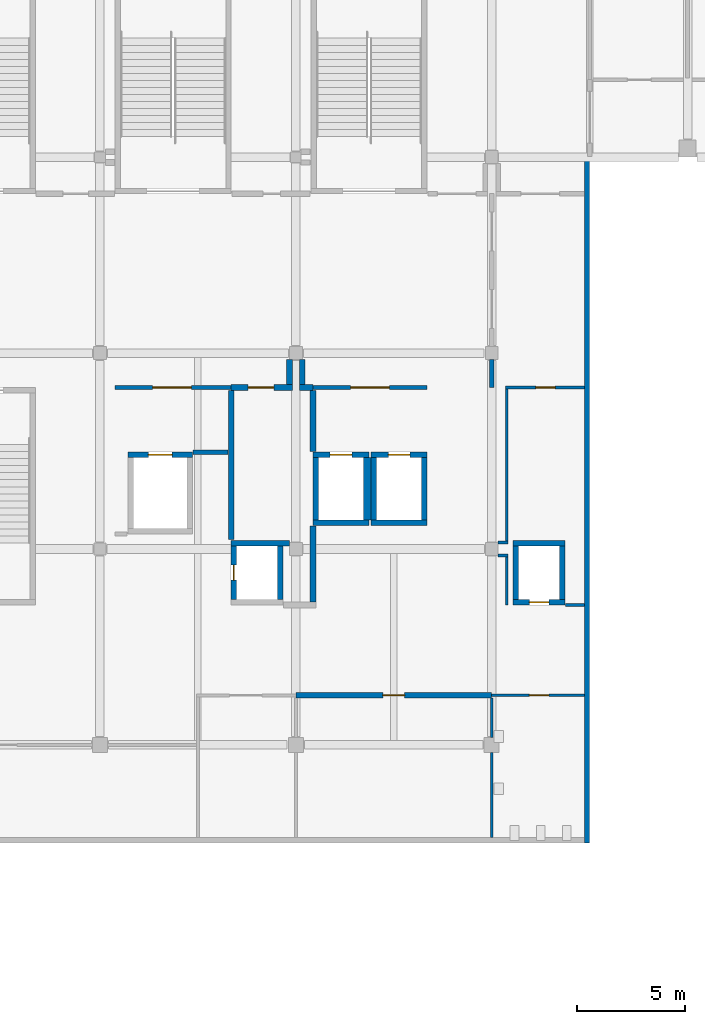
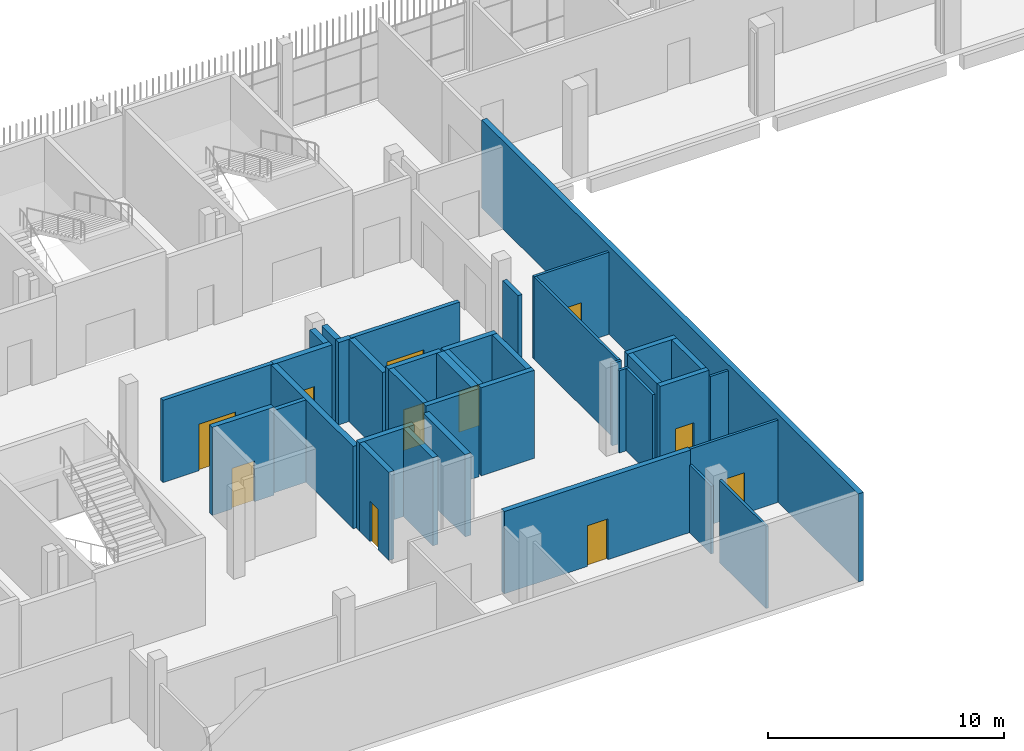
# One storey, part 74 of 124: 38 walls, 11 doors, 11 openings.
"""IFC4 building model written with IfcOpenShell, lengths in metres."""

from ifc_helpers import new_model, si_unit, direction, frame, frame_2d, origin, place, context, subcontext, project, spatial, rectangle, extrude, material, layer, layer_set, type_object, element, fill, save


model = new_model("IFC4")

# Units and contexts
model_context = context("Model", 3, precision=1e-05, world=origin(), true_north=direction((0.0, 1.0)))
body_context = subcontext(model_context, "Body", "Model", "MODEL_VIEW")
ifc_project = project(units=[si_unit("LENGTHUNIT", "METRE"), si_unit("AREAUNIT", "SQUARE_METRE"), si_unit("VOLUMEUNIT", "CUBIC_METRE"), si_unit("PLANEANGLEUNIT", "RADIAN"), si_unit("MASSUNIT", "GRAM", prefix="KILO")], contexts=[model_context])

# Site, building, storey
site_placement = place(None, origin())
site = spatial("IfcSite", under=ifc_project, at=site_placement, CompositionType="ELEMENT")
building_placement = place(site_placement, origin())
building = spatial("IfcBuilding", under=site, at=building_placement, Name="Shirokan Park Arena", CompositionType="ELEMENT")
storey_placement = place(building_placement, frame((0.0, 0.0, 20.02001953125)))
storey = spatial("IfcBuildingStorey", under=building, at=storey_placement, Name="L04", CompositionType="ELEMENT", Elevation=20.02001953125)

# Wall, opening, door
ifc_material_1 = material(Name="Plaster")
ifc_layer_1 = layer(ifc_material_1, 0.014892578125, Name="Plaster")
ifc_material_2 = material(Name="Concrete blockwork", Category="masonry")
ifc_layer_2 = layer(ifc_material_2, 0.219970703125, Name="Concrete blockwork 220")
ifc_layer_3 = layer(ifc_material_1, 0.014892578125, Name="Plaster")
ifc_layer_set_1 = layer_set([ifc_layer_1, ifc_layer_2, ifc_layer_3], Name="Plaster + Concrete blockwork 220")
wall_type_1 = type_object("IfcWallType", Name="Compartment wall 250", PredefinedType="SOLIDWALL", material=ifc_layer_set_1)
wall_1_placement = place(storey_placement, frame((27.300048828125, 75.10009765625, 0.0), z_axis=(0.0, 0.0, 1.0), x_axis=(1.0, 0.0, 0.0)))
wall_1 = element("IfcWall", 1, at=wall_1_placement, inside=storey, type_object=wall_type_1, Name="Compartment wall 250 L04", PredefinedType="SOLIDWALL", context=body_context, shape_type="SweptSolid", body=[
    extrude(rectangle(XDim=9.099853515625, YDim=0.25, at=frame_2d((4.5498046875, 0.0))), origin(), (0.0, 0.0, 1.0), 4.25),
])
opening_1_placement = place(wall_1_placement, frame((4.050048828125, 0.0, 0.0)))
opening_1 = element("IfcOpeningElement", 2, at=opening_1_placement, cuts=wall_1, Name="Opening D-4041", PredefinedType="OPENING", context=body_context, shape_type="SweptSolid", body=[
    extrude(rectangle(XDim=1.0, YDim=2.10009765625, at=frame_2d((0.5, 1.050048828125))), frame((0.0, 0.135009765625, 0.0), z_axis=(0.0, -1.0, 0.0), x_axis=(1.0, 0.0, 0.0)), (0.0, 0.0, 1.0), 0.27001953125),
])
ifc_material_3 = material(Name="Timber door set, fire resisting", Category="wood")
door_type_1 = type_object("IfcDoorType", Name="Door 1000 x 2100", OperationType="SINGLE_SWING_LEFT", PredefinedType="DOOR", material=ifc_material_3)
door_1_placement = place(opening_1_placement, origin())
door_1 = element("IfcDoor", 3, at=door_1_placement, inside=storey, type_object=door_type_1, Name="Door to Staff Locker Room 4.43 D-4041", OperationType="SINGLE_SWING_RIGHT", OverallHeight=2.10009765625, OverallWidth=1.0, PredefinedType="DOOR", context=body_context, shape_type="SweptSolid", body=[
    extrude(rectangle(XDim=1.0, YDim=2.10009765625, at=frame_2d((0.5, 1.050048828125))), frame((0.0, 0.02490234375, 0.0), z_axis=(0.0, -1.0, 0.0), x_axis=(1.0, 0.0, 0.0)), (0.0, 0.0, 1.0), 0.050048828125),
])
fill(opening_1, door_1)

# Wall
ifc_material_4 = material(Name="Gypsum board")
ifc_layer_4 = layer(ifc_material_4, 0.02490234375, Name="Gypsum board, two layers")
ifc_material_5 = material(Name="Mineral wool insulation")
ifc_layer_5 = layer(ifc_material_5, 0.14990234375, Name="Mineral wool insulation")
ifc_layer_6 = layer(ifc_material_4, 0.02490234375, Name="Gypsum board, two layers")
ifc_layer_set_2 = layer_set([ifc_layer_4, ifc_layer_5, ifc_layer_6], Name="Gypsum board, two layers + Mineral wool insulation")
wall_type_2 = type_object("IfcWallType", Name="Corridor wall 200", PredefinedType="PARTITIONING", material=ifc_layer_set_2)
wall_2_placement = place(storey_placement, frame((24.16259765625, 86.39990234375, 0.0), z_axis=(0.0, 0.0, 1.0), x_axis=(-1.0, 0.0, 0.0)))
element("IfcWall", 4, at=wall_2_placement, inside=storey, type_object=wall_type_2, Name="Corridor wall 200 L04", PredefinedType="PARTITIONING", context=body_context, shape_type="SweptSolid", body=[
    extrude(rectangle(XDim=1.632568359375, YDim=0.199951171875, at=frame_2d((0.81640625, 0.0))), origin(), (0.0, 0.0, 1.0), 4.25),
])

# Wall, opening, door
wall_3_placement = place(storey_placement, frame((24.300048828125, 89.39990234375, 0.0), z_axis=(0.0, 0.0, 1.0), x_axis=(-1.0, 0.0, 0.0)))
wall_3 = element("IfcWall", 5, at=wall_3_placement, inside=storey, type_object=wall_type_2, Name="Corridor wall 200 L04", PredefinedType="PARTITIONING", context=body_context, shape_type="SweptSolid", body=[
    extrude(rectangle(XDim=5.400146484375, YDim=0.199951171875, at=frame_2d((2.7001953125, 0.0))), origin(), (0.0, 0.0, 1.0), 4.25),
])
opening_2_placement = place(wall_3_placement, frame((1.85009765625, 0.0, 0.0)))
opening_2 = element("IfcOpeningElement", 6, at=opening_2_placement, cuts=wall_3, Name="Opening D-4114", PredefinedType="OPENING", context=body_context, shape_type="SweptSolid", body=[
    extrude(rectangle(XDim=1.800048828125, YDim=2.39990234375, at=frame_2d((0.89990234375, 1.199951171875))), frame((0.0, 0.10986328125, 0.0), z_axis=(0.0, -1.0, 0.0), x_axis=(1.0, 0.0, 0.0)), (0.0, 0.0, 1.0), 0.219970703125),
])
ifc_material_6 = material(Name="Glazed steel door set, fire resisting", Category="steel")
door_type_2 = type_object("IfcDoorType", Name="Lift lobby door 1800 x 2400", OperationType="DOUBLE_DOOR_SINGLE_SWING", PredefinedType="DOOR", material=ifc_material_6)
door_2_placement = place(opening_2_placement, origin())
door_2 = element("IfcDoor", 7, at=door_2_placement, inside=storey, type_object=door_type_2, Name="Door between Broadcast Gallery 4.4.2 and Service Lift Lobby 4.4 D-4114", OperationType="DOUBLE_DOOR_SINGLE_SWING", OverallHeight=2.39990234375, OverallWidth=1.800048828125, PredefinedType="DOOR", context=body_context, shape_type="SweptSolid", body=[
    extrude(rectangle(XDim=1.800048828125, YDim=2.39990234375, at=frame_2d((0.89990234375, 1.199951171875))), frame((0.0, 0.02490234375, 0.0), z_axis=(0.0, -1.0, 0.0), x_axis=(1.0, 0.0, 0.0)), (0.0, 0.0, 1.0), 0.050048828125),
])
fill(opening_2, door_2)

wall_4_placement = place(storey_placement, frame((33.39990234375, 89.39990234375, 0.0), z_axis=(0.0, 0.0, 1.0), x_axis=(-1.0, 0.0, 0.0)))
wall_4 = element("IfcWall", 8, at=wall_4_placement, inside=storey, type_object=wall_type_2, Name="Corridor wall 200 L04", PredefinedType="PARTITIONING", context=body_context, shape_type="SweptSolid", body=[
    extrude(rectangle(XDim=5.2998046875, YDim=0.199951171875, at=frame_2d((2.64990234375, 0.0))), origin(), (0.0, 0.0, 1.0), 4.25),
])
opening_3_placement = place(wall_4_placement, frame((1.75, 0.0, 0.0)))
opening_3 = element("IfcOpeningElement", 9, at=opening_3_placement, cuts=wall_4, Name="Opening D-4113", PredefinedType="OPENING", context=body_context, shape_type="SweptSolid", body=[
    extrude(rectangle(XDim=1.800048828125, YDim=2.39990234375, at=frame_2d((0.89990234375, 1.199951171875))), frame((0.0, 0.10986328125, 0.0), z_axis=(0.0, -1.0, 0.0), x_axis=(1.0, 0.0, 0.0)), (0.0, 0.0, 1.0), 0.219970703125),
])
door_3_placement = place(opening_3_placement, origin())
door_3 = element("IfcDoor", 10, at=door_3_placement, inside=storey, type_object=door_type_2, Name="Door between Broadcast Gallery 4.4.2 and Lift Lobby 4.4 D-4113", OperationType="DOUBLE_DOOR_SINGLE_SWING", OverallHeight=2.39990234375, OverallWidth=1.800048828125, PredefinedType="DOOR", context=body_context, shape_type="SweptSolid", body=[
    extrude(rectangle(XDim=1.800048828125, YDim=2.39990234375, at=frame_2d((0.89990234375, 1.199951171875))), frame((0.0, 0.02490234375, 0.0), z_axis=(0.0, -1.0, 0.0), x_axis=(1.0, 0.0, 0.0)), (0.0, 0.0, 1.0), 0.050048828125),
])
fill(opening_3, door_3)

# Walls
wall_5_placement = place(storey_placement, frame((36.39990234375, 90.699951171875, 0.0), z_axis=(0.0, 0.0, 1.0), x_axis=(0.0, -1.0, 0.0)))
element("IfcWall", 11, at=wall_5_placement, inside=storey, type_object=wall_type_2, Name="Corridor wall 200 L04", PredefinedType="PARTITIONING", context=body_context, shape_type="SweptSolid", body=[
    extrude(rectangle(XDim=1.300048828125, YDim=0.199951171875, at=frame_2d((0.64990234375, 0.0))), origin(), (0.0, 0.0, 1.0), 3.5),
])
ifc_layer_7 = layer(ifc_material_1, 0.012451171875, Name="Plaster")
ifc_layer_8 = layer(ifc_material_2, 0.25, Name="Concrete blockwork 250")
ifc_layer_9 = layer(ifc_material_1, 0.012451171875, Name="Plaster")
ifc_layer_set_3 = layer_set([ifc_layer_7, ifc_layer_8, ifc_layer_9], Name="Plaster + Concrete blockwork 250")
wall_type_3 = type_object("IfcWallType", Name="Plant room wall 275", PredefinedType="SOLIDWALL", material=ifc_layer_set_3)
wall_6_placement = place(storey_placement, frame((24.300048828125, 82.330078125, 0.0), z_axis=(0.0, 0.0, 1.0), x_axis=(0.0, 1.0, 0.0)))
element("IfcWall", 12, at=wall_6_placement, inside=storey, type_object=wall_type_3, Name="Plant room wall 275 L04", PredefinedType="SOLIDWALL", context=body_context, shape_type="SweptSolid", body=[
    extrude(rectangle(XDim=6.932373046875, YDim=0.27490234375, at=frame_2d((3.46630859375, 0.0))), origin(), (0.0, 0.0, 1.0), 4.25),
])
wall_7_placement = place(storey_placement, frame((27.0, 90.699951171875, 0.0), z_axis=(0.0, 0.0, 1.0), x_axis=(0.0, -1.0, 0.0)))
element("IfcWall", 13, at=wall_7_placement, inside=storey, type_object=wall_type_3, Name="Plant room wall 275 L04", PredefinedType="SOLIDWALL", context=body_context, shape_type="SweptSolid", body=[
    extrude(rectangle(XDim=1.162353515625, YDim=0.27490234375, at=frame_2d((0.5810546875, 0.0))), origin(), (0.0, 0.0, 1.0), 4.25),
])

# Wall, opening, door
wall_8_placement = place(storey_placement, frame((27.137451171875, 89.39990234375, 0.0), z_axis=(0.0, 0.0, 1.0), x_axis=(-1.0, 0.0, 0.0)))
wall_8 = element("IfcWall", 14, at=wall_8_placement, inside=storey, type_object=wall_type_3, Name="Plant room wall 275 L04", PredefinedType="SOLIDWALL", context=body_context, shape_type="SweptSolid", body=[
    extrude(rectangle(XDim=2.83740234375, YDim=0.27490234375, at=frame_2d((1.418701171875, 0.0))), origin(), (0.0, 0.0, 1.0), 4.25),
])
opening_4_placement = place(wall_8_placement, frame((0.85009765625, 0.0, 0.0)))
opening_4 = element("IfcOpeningElement", 15, at=opening_4_placement, cuts=wall_8, Name="Opening D-4034", PredefinedType="OPENING", context=body_context, shape_type="SweptSolid", body=[
    extrude(rectangle(XDim=1.199951171875, YDim=2.39990234375, at=frame_2d((0.60009765625, 1.199951171875))), frame((0.0, 0.1474609375, 0.0), z_axis=(0.0, -1.0, 0.0), x_axis=(1.0, 0.0, 0.0)), (0.0, 0.0, 1.0), 0.294921875),
])
ifc_material_7 = material(Name="Louvred steel door set, fire resisting", Category="steel")
door_type_3 = type_object("IfcDoorType", Name="Plant room door 1200 x 2400", OperationType="SINGLE_SWING_LEFT", PredefinedType="DOOR", material=ifc_material_7)
door_4_placement = place(opening_4_placement, origin())
door_4 = element("IfcDoor", 16, at=door_4_placement, inside=storey, type_object=door_type_3, Name="Door to Equipment Room 4.48 D-4034", OperationType="SINGLE_SWING_LEFT", OverallHeight=2.39990234375, OverallWidth=1.199951171875, PredefinedType="DOOR", context=body_context, shape_type="SweptSolid", body=[
    extrude(rectangle(XDim=1.199951171875, YDim=2.39990234375, at=frame_2d((0.60009765625, 1.199951171875))), frame((0.0, 0.02490234375, 0.0), z_axis=(0.0, -1.0, 0.0), x_axis=(1.0, 0.0, 0.0)), (0.0, 0.0, 1.0), 0.050048828125),
])
fill(opening_4, door_4)

# Walls
wall_9_placement = place(storey_placement, frame((27.60009765625, 89.53759765625, 0.0), z_axis=(0.0, 0.0, 1.0), x_axis=(0.0, 1.0, 0.0)))
element("IfcWall", 17, at=wall_9_placement, inside=storey, type_object=wall_type_3, Name="Plant room wall 275 L04", PredefinedType="SOLIDWALL", context=body_context, shape_type="SweptSolid", body=[
    extrude(rectangle(XDim=1.162353515625, YDim=0.27490234375, at=frame_2d((0.5810546875, 0.0))), origin(), (0.0, 0.0, 1.0), 4.25),
])
wall_10_placement = place(storey_placement, frame((28.10009765625, 82.969970703125, 0.0), z_axis=(0.0, 0.0, 1.0), x_axis=(0.0, -1.0, 0.0)))
element("IfcWall", 18, at=wall_10_placement, inside=storey, type_object=wall_type_3, Name="Plant room wall 275 L04", PredefinedType="SOLIDWALL", context=body_context, shape_type="SweptSolid", body=[
    extrude(rectangle(XDim=3.532470703125, YDim=0.27490234375, at=frame_2d((1.76611328125, 0.0))), origin(), (0.0, 0.0, 1.0), 4.25),
])
wall_11_placement = place(storey_placement, frame((28.10009765625, 89.262451171875, 0.0), z_axis=(0.0, 0.0, 1.0), x_axis=(0.0, -1.0, 0.0)))
element("IfcWall", 19, at=wall_11_placement, inside=storey, type_object=wall_type_3, Name="Plant room wall 275 L04", PredefinedType="SOLIDWALL", context=body_context, shape_type="SweptSolid", body=[
    extrude(rectangle(XDim=2.83251953125, YDim=0.27490234375, at=frame_2d((1.416259765625, 0.0))), origin(), (0.0, 0.0, 1.0), 4.25),
])
wall_12_placement = place(storey_placement, frame((28.10009765625, 89.39990234375, 0.0), z_axis=(0.0, 0.0, 1.0), x_axis=(-1.0, 0.0, 0.0)))
element("IfcWall", 20, at=wall_12_placement, inside=storey, type_object=wall_type_3, Name="Plant room wall 275 L04", PredefinedType="SOLIDWALL", context=body_context, shape_type="SweptSolid", body=[
    extrude(rectangle(XDim=0.6376953125, YDim=0.27490234375, at=frame_2d((0.31884765625, 0.0))), origin(), (0.0, 0.0, 1.0), 4.25),
])
ifc_material_8 = material(Name="Concrete C35", Category="concrete")
ifc_layer_10 = layer(ifc_material_8, 0.25)
ifc_layer_set_4 = layer_set([ifc_layer_10], Name="Concrete C35 250 mm")
wall_type_4 = type_object("IfcWallType", Name="RC flank wall 250", PredefinedType="SHEAR", material=ifc_layer_set_4)
wall_13_placement = place(storey_placement, frame((40.824951171875, 68.25, 0.0), z_axis=(0.0, 0.0, 1.0), x_axis=(0.0, 1.0, 0.0)))
element("IfcWall", 21, at=wall_13_placement, inside=storey, type_object=wall_type_4, Name="Flank wall N1 L04", PredefinedType="SHEAR", context=body_context, shape_type="SweptSolid", body=[
    extrude(rectangle(XDim=31.85009765625, YDim=0.25, at=frame_2d((15.925048828125, 0.0))), origin(), (0.0, 0.0, 1.0), 4.550048828125),
])
ifc_material_9 = material(Name="Concrete C40/50", Category="concrete")
ifc_layer_11 = layer(ifc_material_9, 0.25)
ifc_layer_set_5 = layer_set([ifc_layer_11], Name="Concrete C40/50 250 mm")
wall_type_5 = type_object("IfcWallType", Name="RC shear wall 250", PredefinedType="SHEAR", material=ifc_layer_set_5)
wall_14_placement = place(storey_placement, frame((30.699951171875, 83.125, 0.0), z_axis=(0.0, 0.0, 1.0), x_axis=(-1.0, 0.0, 0.0)))
element("IfcWall", 22, at=wall_14_placement, inside=storey, type_object=wall_type_5, Name="Shaft wall Passenger Lift 4.1 S L04", PredefinedType="SHEAR", context=body_context, shape_type="SweptSolid", body=[
    extrude(rectangle(XDim=2.599853515625, YDim=0.25, at=frame_2d((1.2998046875, 0.0))), origin(), (0.0, 0.0, 1.0), 4.550048828125),
])

# Wall, opening, door
wall_15_placement = place(storey_placement, frame((30.699951171875, 86.27490234375, 0.0), z_axis=(0.0, 0.0, 1.0), x_axis=(-1.0, 0.0, 0.0)))
wall_15 = element("IfcWall", 23, at=wall_15_placement, inside=storey, type_object=wall_type_5, Name="Shaft wall Passenger Lift 4.1 N L04", PredefinedType="SHEAR", context=body_context, shape_type="SweptSolid", body=[
    extrude(rectangle(XDim=2.599853515625, YDim=0.25, at=frame_2d((1.2998046875, 0.0))), origin(), (0.0, 0.0, 1.0), 4.550048828125),
])
opening_5_placement = place(wall_15_placement, frame((0.800048828125, 0.0, 0.0)))
opening_5 = element("IfcOpeningElement", 24, at=opening_5_placement, cuts=wall_15, Name="Opening LD41", PredefinedType="OPENING", context=body_context, shape_type="SweptSolid", body=[
    extrude(rectangle(XDim=1.0, YDim=2.10009765625, at=frame_2d((0.5, 1.050048828125))), frame((0.0, 0.135009765625, 0.0), z_axis=(0.0, -1.0, 0.0), x_axis=(1.0, 0.0, 0.0)), (0.0, 0.0, 1.0), 0.27001953125),
])
ifc_material_10 = material(Name="Stainless steel", Category="steel")
door_type_4 = type_object("IfcDoorType", Name="Lift landing door 1000x2100", OperationType="DOUBLE_DOOR_SLIDING", PredefinedType="DOOR", material=ifc_material_10)
door_5_placement = place(opening_5_placement, origin())
door_5 = element("IfcDoor", 25, at=door_5_placement, inside=storey, type_object=door_type_4, Name="Lift landing door Passenger Lift 4.1 L04", OperationType="DOUBLE_DOOR_SLIDING", OverallHeight=2.10009765625, OverallWidth=1.0, PredefinedType="DOOR", context=body_context, shape_type="SweptSolid", body=[
    extrude(rectangle(XDim=1.0, YDim=2.10009765625, at=frame_2d((0.5, 1.050048828125))), frame((0.0, 0.02490234375, 0.0), z_axis=(0.0, -1.0, 0.0), x_axis=(1.0, 0.0, 0.0)), (0.0, 0.0, 1.0), 0.050048828125),
])
fill(opening_5, door_5)

# Walls
wall_16_placement = place(storey_placement, frame((28.22509765625, 86.14990234375, 0.0), z_axis=(0.0, 0.0, 1.0), x_axis=(0.0, -1.0, 0.0)))
element("IfcWall", 26, at=wall_16_placement, inside=storey, type_object=wall_type_5, Name="Shaft wall Passenger Lift 4.1 W L04", PredefinedType="SHEAR", context=body_context, shape_type="SweptSolid", body=[
    extrude(rectangle(XDim=2.89990234375, YDim=0.25, at=frame_2d((1.449951171875, 0.0))), origin(), (0.0, 0.0, 1.0), 4.550048828125),
])
wall_17_placement = place(storey_placement, frame((33.39990234375, 83.125, 0.0), z_axis=(0.0, 0.0, 1.0), x_axis=(-1.0, 0.0, 0.0)))
element("IfcWall", 27, at=wall_17_placement, inside=storey, type_object=wall_type_5, Name="Shaft wall Passenger Lift 4.2 S L04", PredefinedType="SHEAR", context=body_context, shape_type="SweptSolid", body=[
    extrude(rectangle(XDim=2.599853515625, YDim=0.25, at=frame_2d((1.2998046875, 0.0))), origin(), (0.0, 0.0, 1.0), 4.550048828125),
])

# Wall, opening, door
wall_18_placement = place(storey_placement, frame((33.39990234375, 86.27490234375, 0.0), z_axis=(0.0, 0.0, 1.0), x_axis=(-1.0, 0.0, 0.0)))
wall_18 = element("IfcWall", 28, at=wall_18_placement, inside=storey, type_object=wall_type_5, Name="Shaft wall Passenger Lift 4.2 N L04", PredefinedType="SHEAR", context=body_context, shape_type="SweptSolid", body=[
    extrude(rectangle(XDim=2.599853515625, YDim=0.25, at=frame_2d((1.2998046875, 0.0))), origin(), (0.0, 0.0, 1.0), 4.550048828125),
])
opening_6_placement = place(wall_18_placement, frame((0.800048828125, 0.0, 0.0)))
opening_6 = element("IfcOpeningElement", 29, at=opening_6_placement, cuts=wall_18, Name="Opening LD47", PredefinedType="OPENING", context=body_context, shape_type="SweptSolid", body=[
    extrude(rectangle(XDim=1.0, YDim=2.10009765625, at=frame_2d((0.5, 1.050048828125))), frame((0.0, 0.135009765625, 0.0), z_axis=(0.0, -1.0, 0.0), x_axis=(1.0, 0.0, 0.0)), (0.0, 0.0, 1.0), 0.27001953125),
])
door_6_placement = place(opening_6_placement, origin())
door_6 = element("IfcDoor", 30, at=door_6_placement, inside=storey, type_object=door_type_4, Name="Lift landing door Passenger Lift 4.2 L04", OperationType="DOUBLE_DOOR_SLIDING", OverallHeight=2.10009765625, OverallWidth=1.0, PredefinedType="DOOR", context=body_context, shape_type="SweptSolid", body=[
    extrude(rectangle(XDim=1.0, YDim=2.10009765625, at=frame_2d((0.5, 1.050048828125))), frame((0.0, 0.02490234375, 0.0), z_axis=(0.0, -1.0, 0.0), x_axis=(1.0, 0.0, 0.0)), (0.0, 0.0, 1.0), 0.050048828125),
])
fill(opening_6, door_6)

# Walls
for number, where, z_axis, x_axis, name in (
    (31, (30.925048828125, 86.14990234375, 0.0), (0.0, 0.0, 1.0), (0.0, -1.0, 0.0), "Shaft wall Passenger Lift 4.2 W L04"),
    (32, (33.27490234375, 86.14990234375, 0.0), (0.0, 0.0, 1.0), (0.0, -1.0, 0.0), "Shaft wall Passenger Lift 4.2 E L04"),
):
    element("IfcWall", number, at=place(storey_placement, frame(where, z_axis=z_axis, x_axis=x_axis)), inside=storey, type_object=wall_type_5, Name=name, PredefinedType="SHEAR", context=body_context, shape_type="SweptSolid", body=[
        extrude(rectangle(XDim=2.89990234375, YDim=0.25, at=frame_2d((1.449951171875, 0.0))), origin(), (0.0, 0.0, 1.0), 4.550048828125),
    ])

# Wall, opening, door
wall_19_placement = place(storey_placement, frame((39.800048828125, 79.425048828125, 0.0), z_axis=(0.0, 0.0, 1.0), x_axis=(-1.0, 0.0, 0.0)))
wall_19 = element("IfcWall", 33, at=wall_19_placement, inside=storey, type_object=wall_type_5, Name="Shaft wall Services Riser 4.1 S L04", PredefinedType="SHEAR", context=body_context, shape_type="SweptSolid", body=[
    extrude(rectangle(XDim=2.400146484375, YDim=0.25, at=frame_2d((1.2001953125, 0.0))), origin(), (0.0, 0.0, 1.0), 4.550048828125),
])
opening_7_placement = place(wall_19_placement, frame((0.75, 0.0, 0.0)))
opening_7 = element("IfcOpeningElement", 34, at=opening_7_placement, cuts=wall_19, Name="Opening D-4125", PredefinedType="OPENING", context=body_context, shape_type="SweptSolid", body=[
    extrude(rectangle(XDim=0.89990234375, YDim=2.10009765625, at=frame_2d((0.449951171875, 1.050048828125))), frame((0.0, 0.135009765625, 0.0), z_axis=(0.0, -1.0, 0.0), x_axis=(1.0, 0.0, 0.0)), (0.0, 0.0, 1.0), 0.27001953125),
])
ifc_material_11 = material(Name="Steel door set, fire resisting", Category="steel")
door_type_5 = type_object("IfcDoorType", Name="Electrical riser door 900 x 2100", OperationType="SINGLE_SWING_LEFT", PredefinedType="DOOR", material=ifc_material_11)
door_7_placement = place(opening_7_placement, origin())
door_7 = element("IfcDoor", 35, at=door_7_placement, inside=storey, type_object=door_type_5, Name="Riser access door Services Riser 4.1 D-4125", OperationType="SINGLE_SWING_RIGHT", OverallHeight=2.10009765625, OverallWidth=0.89990234375, PredefinedType="DOOR", context=body_context, shape_type="SweptSolid", body=[
    extrude(rectangle(XDim=0.89990234375, YDim=2.10009765625, at=frame_2d((0.449951171875, 1.050048828125))), frame((0.0, 0.02490234375, 0.0), z_axis=(0.0, -1.0, 0.0), x_axis=(1.0, 0.0, 0.0)), (0.0, 0.0, 1.0), 0.050048828125),
])
fill(opening_7, door_7)

# Walls
wall_20_placement = place(storey_placement, frame((39.800048828125, 82.175048828125, 0.0), z_axis=(0.0, 0.0, 1.0), x_axis=(-1.0, 0.0, 0.0)))
element("IfcWall", 36, at=wall_20_placement, inside=storey, type_object=wall_type_5, Name="Shaft wall Services Riser 4.1 N L04", PredefinedType="SHEAR", context=body_context, shape_type="SweptSolid", body=[
    extrude(rectangle(XDim=2.400146484375, YDim=0.25, at=frame_2d((1.2001953125, 0.0))), origin(), (0.0, 0.0, 1.0), 4.550048828125),
])
for number, where, z_axis, x_axis, name in (
    (37, (37.52490234375, 82.050048828125, 0.0), (0.0, 0.0, 1.0), (0.0, -1.0, 0.0), "Shaft wall Services Riser 4.1 W L04"),
    (38, (39.675048828125, 82.050048828125, 0.0), (0.0, 0.0, 1.0), (0.0, -1.0, 0.0), "Shaft wall Services Riser 4.1 E L04"),
):
    element("IfcWall", number, at=place(storey_placement, frame(where, z_axis=z_axis, x_axis=x_axis)), inside=storey, type_object=wall_type_5, Name=name, PredefinedType="SHEAR", context=body_context, shape_type="SweptSolid", body=[
        extrude(rectangle(XDim=2.5, YDim=0.25, at=frame_2d((1.25, 0.0))), origin(), (0.0, 0.0, 1.0), 4.550048828125),
    ])
wall_21_placement = place(storey_placement, frame((27.0, 82.175048828125, 0.0), z_axis=(0.0, 0.0, 1.0), x_axis=(-1.0, 0.0, 0.0)))
element("IfcWall", 39, at=wall_21_placement, inside=storey, type_object=wall_type_5, Name="Shaft wall Services Riser 4.2 N L04", PredefinedType="SHEAR", context=body_context, shape_type="SweptSolid", body=[
    extrude(rectangle(XDim=2.699951171875, YDim=0.25, at=frame_2d((1.35009765625, 0.0))), origin(), (0.0, 0.0, 1.0), 4.550048828125),
])

# Wall, opening, door
wall_22_placement = place(storey_placement, frame((24.425048828125, 82.050048828125, 0.0), z_axis=(0.0, 0.0, 1.0), x_axis=(0.0, -1.0, 0.0)))
wall_22 = element("IfcWall", 40, at=wall_22_placement, inside=storey, type_object=wall_type_5, Name="Shaft wall Services Riser 4.2 W L04", PredefinedType="SHEAR", context=body_context, shape_type="SweptSolid", body=[
    extrude(rectangle(XDim=2.5, YDim=0.25, at=frame_2d((1.25, 0.0))), origin(), (0.0, 0.0, 1.0), 4.550048828125),
])
opening_8_placement = place(wall_22_placement, frame((0.89990234375, 0.0, 0.0)))
opening_8 = element("IfcOpeningElement", 41, at=opening_8_placement, cuts=wall_22, Name="Opening D-4126", PredefinedType="OPENING", context=body_context, shape_type="SweptSolid", body=[
    extrude(rectangle(XDim=0.699951171875, YDim=2.10009765625, at=frame_2d((0.35009765625, 1.050048828125))), frame((0.0, 0.135009765625, 0.0), z_axis=(0.0, -1.0, 0.0), x_axis=(1.0, 0.0, 0.0)), (0.0, 0.0, 1.0), 0.27001953125),
])
door_type_6 = type_object("IfcDoorType", Name="Mechanical riser door 700 x 2100", OperationType="SINGLE_SWING_LEFT", PredefinedType="DOOR", material=ifc_material_11)
door_8_placement = place(opening_8_placement, origin())
door_8 = element("IfcDoor", 42, at=door_8_placement, inside=storey, type_object=door_type_6, Name="Riser access door Services Riser 4.2 D-4126", OperationType="SINGLE_SWING_LEFT", OverallHeight=2.10009765625, OverallWidth=0.699951171875, PredefinedType="DOOR", context=body_context, shape_type="SweptSolid", body=[
    extrude(rectangle(XDim=0.699951171875, YDim=2.10009765625, at=frame_2d((0.35009765625, 1.050048828125))), frame((0.0, 0.02490234375, 0.0), z_axis=(0.0, -1.0, 0.0), x_axis=(1.0, 0.0, 0.0)), (0.0, 0.0, 1.0), 0.050048828125),
])
fill(opening_8, door_8)

# Wall
wall_23_placement = place(storey_placement, frame((26.574951171875, 82.050048828125, 0.0), z_axis=(0.0, 0.0, 1.0), x_axis=(0.0, -1.0, 0.0)))
element("IfcWall", 43, at=wall_23_placement, inside=storey, type_object=wall_type_5, Name="Shaft wall Services Riser 4.2 E L04", PredefinedType="SHEAR", context=body_context, shape_type="SweptSolid", body=[
    extrude(rectangle(XDim=2.5, YDim=0.25, at=frame_2d((1.25, 0.0))), origin(), (0.0, 0.0, 1.0), 4.550048828125),
])

# Wall, opening, door
wall_24_placement = place(storey_placement, frame((22.5, 86.27490234375, 0.0), z_axis=(0.0, 0.0, 1.0), x_axis=(-1.0, 0.0, 0.0)))
wall_24 = element("IfcWall", 44, at=wall_24_placement, inside=storey, type_object=wall_type_5, Name="Shaft wall Service Lift 4 N L04", PredefinedType="SHEAR", context=body_context, shape_type="SweptSolid", body=[
    extrude(rectangle(XDim=3.0, YDim=0.25, at=frame_2d((1.5, 0.0))), origin(), (0.0, 0.0, 1.0), 4.550048828125),
])
opening_9_placement = place(wall_24_placement, frame((0.949951171875, 0.0, 0.0)))
opening_9 = element("IfcOpeningElement", 45, at=opening_9_placement, cuts=wall_24, Name="Opening LD74", PredefinedType="OPENING", context=body_context, shape_type="SweptSolid", body=[
    extrude(rectangle(XDim=1.10009765625, YDim=2.10009765625, at=frame_2d((0.550048828125, 1.050048828125))), frame((0.0, 0.135009765625, 0.0), z_axis=(0.0, -1.0, 0.0), x_axis=(1.0, 0.0, 0.0)), (0.0, 0.0, 1.0), 0.27001953125),
])
door_type_7 = type_object("IfcDoorType", Name="Lift landing door 1100x2100", OperationType="DOUBLE_DOOR_SLIDING", PredefinedType="DOOR", material=ifc_material_10)
door_9_placement = place(opening_9_placement, origin())
door_9 = element("IfcDoor", 46, at=door_9_placement, inside=storey, type_object=door_type_7, Name="Lift landing door Service Lift 4 L04", OperationType="DOUBLE_DOOR_SLIDING", OverallHeight=2.10009765625, OverallWidth=1.10009765625, PredefinedType="DOOR", context=body_context, shape_type="SweptSolid", body=[
    extrude(rectangle(XDim=1.10009765625, YDim=2.10009765625, at=frame_2d((0.550048828125, 1.050048828125))), frame((0.0, 0.02490234375, 0.0), z_axis=(0.0, -1.0, 0.0), x_axis=(1.0, 0.0, 0.0)), (0.0, 0.0, 1.0), 0.050048828125),
])
fill(opening_9, door_9)

# Walls
ifc_layer_12 = layer(ifc_material_9, 0.35009765625)
ifc_layer_set_6 = layer_set([ifc_layer_12], Name="Concrete C40/50 350 mm")
wall_type_6 = type_object("IfcWallType", Name="RC shear wall 350", PredefinedType="SHEAR", material=ifc_layer_set_6)
wall_25_placement = place(storey_placement, frame((30.625, 86.14990234375, 0.0), z_axis=(0.0, 0.0, 1.0), x_axis=(0.0, -1.0, 0.0)))
element("IfcWall", 47, at=wall_25_placement, inside=storey, type_object=wall_type_6, Name="Shaft wall Passenger Lift 4.1 E L04", PredefinedType="SHEAR", context=body_context, shape_type="SweptSolid", body=[
    extrude(rectangle(XDim=2.89990234375, YDim=0.35009765625, at=frame_2d((1.449951171875, 0.0))), origin(), (0.0, 0.0, 1.0), 4.550048828125),
])
ifc_material_12 = material(Name="Ceramic tile")
ifc_layer_13 = layer(ifc_material_12, 0.010009765625, Name="Ceramic tile")
ifc_material_13 = material(Name="Cement board")
ifc_layer_14 = layer(ifc_material_13, 0.012451171875, Name="Cement board")
ifc_layer_15 = layer(ifc_material_5, 0.080078125, Name="Mineral wool insulation")
ifc_layer_16 = layer(ifc_material_13, 0.012451171875, Name="Cement board")
ifc_layer_17 = layer(ifc_material_12, 0.010009765625, Name="Ceramic tile")
ifc_layer_set_7 = layer_set([ifc_layer_13, ifc_layer_14, ifc_layer_15, ifc_layer_16, ifc_layer_17], Name="Ceramic tile + Cement board + Mineral wool insulation")
wall_type_7 = type_object("IfcWallType", Name="Wet-area wall 125", PredefinedType="PARTITIONING", material=ifc_layer_set_7)
wall_26_placement = place(storey_placement, frame((36.39990234375, 72.449951171875, 0.0), z_axis=(0.0, 0.0, 1.0), x_axis=(0.0, -1.0, 0.0)))
element("IfcWall", 48, at=wall_26_placement, inside=storey, type_object=wall_type_7, Name="Wet-area wall 125 L04", PredefinedType="PARTITIONING", context=body_context, shape_type="SweptSolid", body=[
    extrude(rectangle(XDim=3.949951171875, YDim=0.125, at=frame_2d((1.97509765625, 0.0))), origin(), (0.0, 0.0, 1.0), 4.25),
])
wall_27_placement = place(storey_placement, frame((36.39990234375, 74.97509765625, 0.0), z_axis=(0.0, 0.0, 1.0), x_axis=(0.0, -1.0, 0.0)))
element("IfcWall", 49, at=wall_27_placement, inside=storey, type_object=wall_type_7, Name="Wet-area wall 125 L04", PredefinedType="PARTITIONING", context=body_context, shape_type="SweptSolid", body=[
    extrude(rectangle(XDim=1.8251953125, YDim=0.125, at=frame_2d((0.91259765625, 0.0))), origin(), (0.0, 0.0, 1.0), 3.5),
])

# Wall, opening, door
wall_28_placement = place(storey_placement, frame((36.39990234375, 75.10009765625, 0.0), z_axis=(0.0, 0.0, 1.0), x_axis=(1.0, 0.0, 0.0)))
wall_28 = element("IfcWall", 50, at=wall_28_placement, inside=storey, type_object=wall_type_7, Name="Wet-area wall 125 L04", PredefinedType="PARTITIONING", context=body_context, shape_type="SweptSolid", body=[
    extrude(rectangle(XDim=4.300048828125, YDim=0.125, at=frame_2d((2.14990234375, 0.0))), origin(), (0.0, 0.0, 1.0), 4.25),
])
opening_10_placement = place(wall_28_placement, frame((1.75, 0.0, 0.0)))
opening_10 = element("IfcOpeningElement", 51, at=opening_10_placement, cuts=wall_28, Name="Opening D-4042", PredefinedType="OPENING", context=body_context, shape_type="SweptSolid", body=[
    extrude(rectangle(XDim=0.89990234375, YDim=2.10009765625, at=frame_2d((0.449951171875, 1.050048828125))), frame((0.0, 0.072509765625, 0.0), z_axis=(0.0, -1.0, 0.0), x_axis=(1.0, 0.0, 0.0)), (0.0, 0.0, 1.0), 0.14501953125),
])
door_type_8 = type_object("IfcDoorType", Name="Door 900 x 2100", OperationType="SINGLE_SWING_LEFT", PredefinedType="DOOR", material=ifc_material_3)
door_10_placement = place(opening_10_placement, origin())
door_10 = element("IfcDoor", 52, at=door_10_placement, inside=storey, type_object=door_type_8, Name="Door to Women's WC 4.44 D-4042", OperationType="SINGLE_SWING_RIGHT", OverallHeight=2.10009765625, OverallWidth=0.89990234375, PredefinedType="DOOR", context=body_context, shape_type="SweptSolid", body=[
    extrude(rectangle(XDim=0.89990234375, YDim=2.10009765625, at=frame_2d((0.449951171875, 1.050048828125))), frame((0.0, 0.02490234375, 0.0), z_axis=(0.0, -1.0, 0.0), x_axis=(1.0, 0.0, 0.0)), (0.0, 0.0, 1.0), 0.050048828125),
])
fill(opening_10, door_10)

# Walls
wall_29_placement = place(storey_placement, frame((36.699951171875, 81.60009765625, 0.0), z_axis=(0.0, 0.0, 1.0), x_axis=(1.0, 0.0, 0.0)))
element("IfcWall", 53, at=wall_29_placement, inside=storey, type_object=wall_type_7, Name="Wet-area wall 125 L04", PredefinedType="PARTITIONING", context=body_context, shape_type="SweptSolid", body=[
    extrude(rectangle(XDim=0.462646484375, YDim=0.125, at=frame_2d((0.2314453125, 0.0))), origin(), (0.0, 0.0, 1.0), 4.25),
])
wall_30_placement = place(storey_placement, frame((37.10009765625, 81.53759765625, 0.0), z_axis=(0.0, 0.0, 1.0), x_axis=(0.0, -1.0, 0.0)))
element("IfcWall", 54, at=wall_30_placement, inside=storey, type_object=wall_type_7, Name="Wet-area wall 125 L04", PredefinedType="PARTITIONING", context=body_context, shape_type="SweptSolid", body=[
    extrude(rectangle(XDim=2.237548828125, YDim=0.125, at=frame_2d((1.11865234375, 0.0))), origin(), (0.0, 0.0, 1.0), 4.25),
])
wall_31_placement = place(storey_placement, frame((37.10009765625, 89.33740234375, 0.0), z_axis=(0.0, 0.0, 1.0), x_axis=(0.0, -1.0, 0.0)))
element("IfcWall", 55, at=wall_31_placement, inside=storey, type_object=wall_type_7, Name="Wet-area wall 125 L04", PredefinedType="PARTITIONING", context=body_context, shape_type="SweptSolid", body=[
    extrude(rectangle(XDim=7.074951171875, YDim=0.125, at=frame_2d((3.53759765625, 0.0))), origin(), (0.0, 0.0, 1.0), 4.25),
])
wall_32_placement = place(storey_placement, frame((37.16259765625, 82.199951171875, 0.0), z_axis=(0.0, 0.0, 1.0), x_axis=(-1.0, 0.0, 0.0)))
element("IfcWall", 56, at=wall_32_placement, inside=storey, type_object=wall_type_7, Name="Wet-area wall 125 L04", PredefinedType="PARTITIONING", context=body_context, shape_type="SweptSolid", body=[
    extrude(rectangle(XDim=0.462646484375, YDim=0.125, at=frame_2d((0.2314453125, 0.0))), origin(), (0.0, 0.0, 1.0), 4.25),
])
wall_33_placement = place(storey_placement, frame((40.699951171875, 79.300048828125, 0.0), z_axis=(0.0, 0.0, 1.0), x_axis=(-1.0, 0.0, 0.0)))
element("IfcWall", 57, at=wall_33_placement, inside=storey, type_object=wall_type_7, Name="Wet-area wall 125 L04", PredefinedType="PARTITIONING", context=body_context, shape_type="SweptSolid", body=[
    extrude(rectangle(XDim=0.869873046875, YDim=0.125, at=frame_2d((0.43505859375, 0.0))), origin(), (0.0, 0.0, 1.0), 4.25),
])

# Wall, opening, door
wall_34_placement = place(storey_placement, frame((40.699951171875, 89.39990234375, 0.0), z_axis=(0.0, 0.0, 1.0), x_axis=(-1.0, 0.0, 0.0)))
wall_34 = element("IfcWall", 58, at=wall_34_placement, inside=storey, type_object=wall_type_7, Name="Wet-area wall 125 L04", PredefinedType="PARTITIONING", context=body_context, shape_type="SweptSolid", body=[
    extrude(rectangle(XDim=3.662353515625, YDim=0.125, at=frame_2d((1.8310546875, 0.0))), origin(), (0.0, 0.0, 1.0), 4.25),
])
opening_11_placement = place(wall_34_placement, frame((1.35009765625, 0.0, 0.0)))
opening_11 = element("IfcOpeningElement", 59, at=opening_11_placement, cuts=wall_34, Name="Opening D-4035", PredefinedType="OPENING", context=body_context, shape_type="SweptSolid", body=[
    extrude(rectangle(XDim=0.89990234375, YDim=2.10009765625, at=frame_2d((0.449951171875, 1.050048828125))), frame((0.0, 0.072509765625, 0.0), z_axis=(0.0, -1.0, 0.0), x_axis=(1.0, 0.0, 0.0)), (0.0, 0.0, 1.0), 0.14501953125),
])
door_11_placement = place(opening_11_placement, origin())
door_11 = element("IfcDoor", 60, at=door_11_placement, inside=storey, type_object=door_type_8, Name="Door to Staff WC 4.49 D-4035", OperationType="SINGLE_SWING_RIGHT", OverallHeight=2.10009765625, OverallWidth=0.89990234375, PredefinedType="DOOR", context=body_context, shape_type="SweptSolid", body=[
    extrude(rectangle(XDim=0.89990234375, YDim=2.10009765625, at=frame_2d((0.449951171875, 1.050048828125))), frame((0.0, 0.02490234375, 0.0), z_axis=(0.0, -1.0, 0.0), x_axis=(1.0, 0.0, 0.0)), (0.0, 0.0, 1.0), 0.050048828125),
])
fill(opening_11, door_11)

save(model, "model.ifc")
